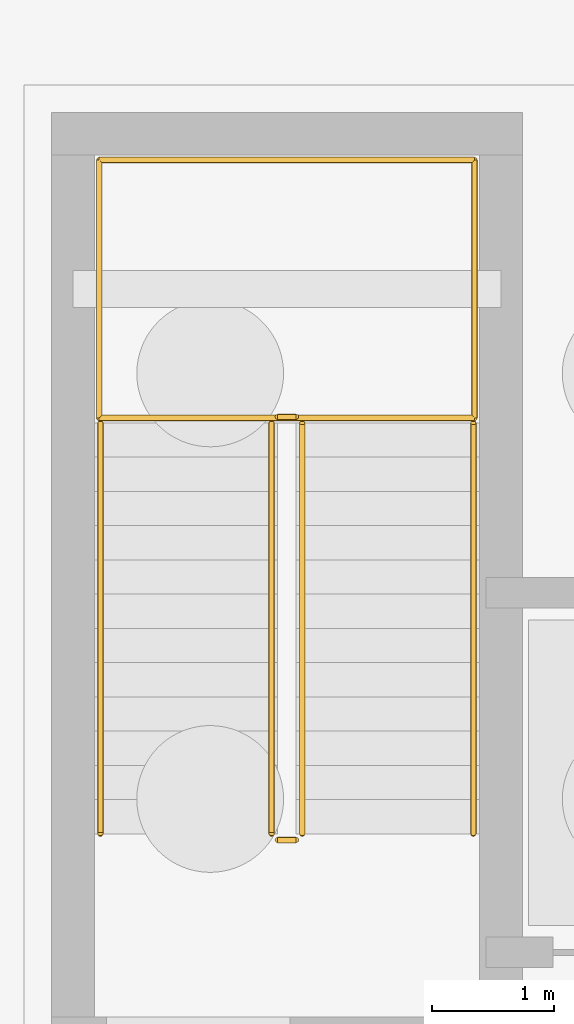
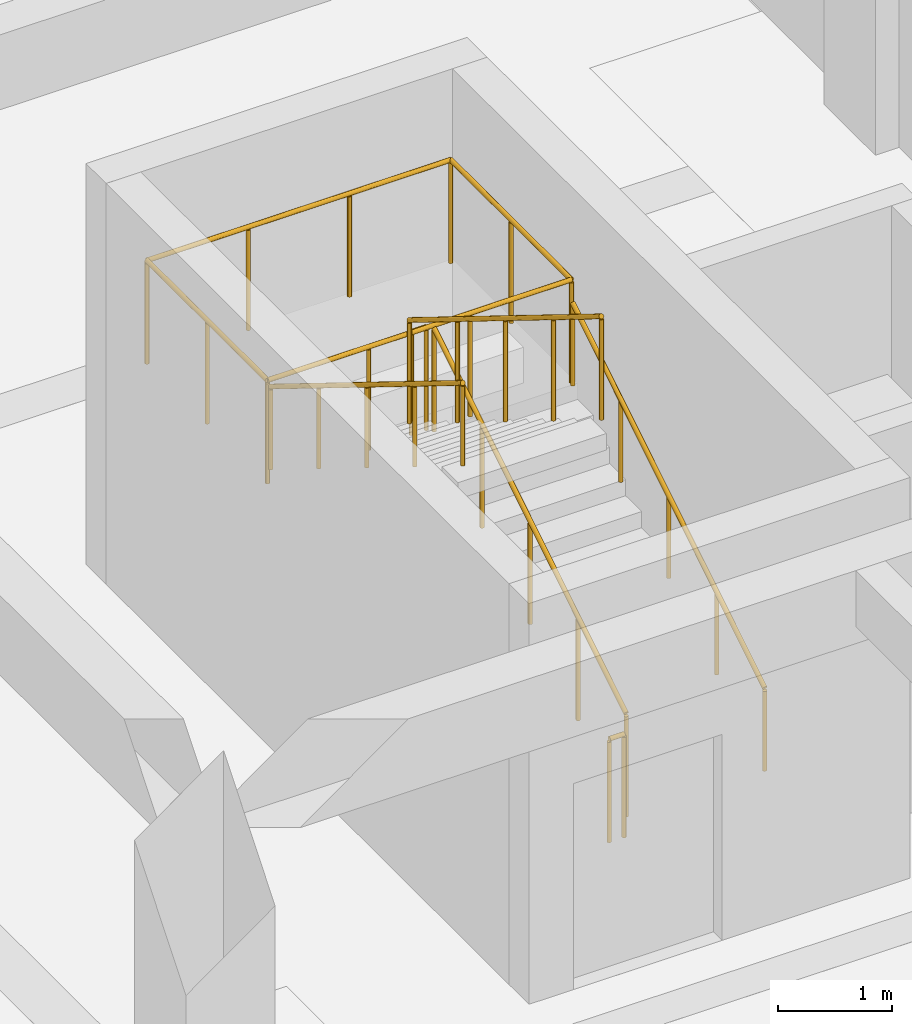
# One storey, part 25 of 28: 8 railings.
"""IFC4 building model written with IfcOpenShell, lengths in metres."""

from ifc_helpers import new_model, si_unit, direction, frame, origin, origin_2d, place, context, subcontext, project, spatial, circle, extrude, material, type_object, element, save


model = new_model("IFC4")

# Units and contexts
model_context = context("Model", 3, precision=1e-05, world=origin(), true_north=direction((0.0, 1.0)))
body_context = subcontext(model_context, "Body", "Model", "MODEL_VIEW")
ifc_project = project(units=[si_unit("LENGTHUNIT", "METRE"), si_unit("AREAUNIT", "SQUARE_METRE"), si_unit("VOLUMEUNIT", "CUBIC_METRE"), si_unit("PLANEANGLEUNIT", "RADIAN"), si_unit("MASSUNIT", "GRAM", prefix="KILO")], contexts=[model_context])

# Site, building, storey
site_placement = place(None, origin())
site = spatial("IfcSite", under=ifc_project, at=site_placement, CompositionType="ELEMENT")
building_placement = place(site_placement, origin())
building = spatial("IfcBuilding", under=site, at=building_placement, Name="Miralva Faculty of Natural Sciences", CompositionType="ELEMENT")
storey_placement = place(building_placement, frame((0.0, 0.0, -4.5)))
storey = spatial("IfcBuildingStorey", under=building, at=storey_placement, Name="B1", CompositionType="ELEMENT", Elevation=-4.5)

# Railings
ifc_material = material(Name="Steel S355", Category="steel")
railing_type_1 = type_object("IfcRailingType", Name="RL-GR01", PredefinedType="GUARDRAIL", material=ifc_material)
railing_1_placement = place(storey_placement, frame((15.300048828125, 67.89990234375, 0.173095703125)))
element("IfcRailing", 1, at=railing_1_placement, inside=storey, type_object=railing_type_1, Name="Stair Core C2 safety guard B1-1", PredefinedType="GUARDRAIL", context=body_context, shape_type="SweptSolid", body=[
    extrude(circle(Radius=0.02392578125, at=origin_2d()), frame((0.0, 0.0, 1.09619140625), z_axis=(0.0, 0.850623216509, 0.525775754039), x_axis=(-1.0, 0.0, 0.0)), (0.0, 0.0, 1.0), 3.9501953125),
    extrude(circle(Radius=0.02099609375, at=origin_2d()), origin(), (0.0, 0.0, 1.0), 1.072021484375),
    extrude(circle(Radius=0.02099609375, at=origin_2d()), frame((0.0, 0.840087890625, 0.519287109375)), (0.0, 0.0, 1.0), 1.072021484375),
    extrude(circle(Radius=0.02099609375, at=origin_2d()), frame((0.0, 1.68017578125, 1.03857421875)), (0.0, 0.0, 1.0), 1.072021484375),
    extrude(circle(Radius=0.02099609375, at=origin_2d()), frame((0.0, 2.52001953125, 1.5576171875)), (0.0, 0.0, 1.0), 1.072021484375),
    extrude(circle(Radius=0.02099609375, at=origin_2d()), frame((0.0, 3.360107421875, 2.076904296875)), (0.0, 0.0, 1.0), 1.072021484375),
])
railing_2_placement = place(storey_placement, frame((15.25, 71.31005859375, 2.25)))
element("IfcRailing", 2, at=railing_2_placement, inside=storey, type_object=railing_type_1, Name="Stair Core C2 safety guard B1-2", PredefinedType="GUARDRAIL", context=body_context, shape_type="SweptSolid", body=[
    extrude(circle(Radius=0.02392578125, at=origin_2d()), frame((0.0, 0.0, 1.09619140625), z_axis=(-1.0, 0.0, 0.0), x_axis=(0.0, -1.0, 0.0)), (0.0, 0.0, 1.0), 0.14990234375),
    extrude(circle(Radius=0.02099609375, at=origin_2d()), origin(), (0.0, 0.0, 1.0), 1.072021484375),
    extrude(circle(Radius=0.02099609375, at=origin_2d()), frame((-0.14990234375, 0.0, 0.0)), (0.0, 0.0, 1.0), 1.072021484375),
])
railing_3_placement = place(storey_placement, frame((15.050048828125, 71.260009765625, 2.423095703125)))
element("IfcRailing", 3, at=railing_3_placement, inside=storey, type_object=railing_type_1, Name="Stair Core C2 safety guard B1-3", PredefinedType="GUARDRAIL", context=body_context, shape_type="SweptSolid", body=[
    extrude(circle(Radius=0.02392578125, at=origin_2d()), frame((0.0, 0.0, 1.09619140625), z_axis=(0.0, -0.850623216509, 0.525775754039), x_axis=(1.0, 0.0, 0.0)), (0.0, 0.0, 1.0), 3.9501953125),
    extrude(circle(Radius=0.02099609375, at=origin_2d()), origin(), (0.0, 0.0, 1.0), 1.072021484375),
    extrude(circle(Radius=0.02099609375, at=origin_2d()), frame((0.0, -0.840087890625, 0.519287109375)), (0.0, 0.0, 1.0), 1.072021484375),
    extrude(circle(Radius=0.02099609375, at=origin_2d()), frame((0.0, -1.68017578125, 1.03857421875)), (0.0, 0.0, 1.0), 1.072021484375),
    extrude(circle(Radius=0.02099609375, at=origin_2d()), frame((0.0, -2.52001953125, 1.5576171875)), (0.0, 0.0, 1.0), 1.072021484375),
    extrude(circle(Radius=0.02099609375, at=origin_2d()), frame((0.0, -3.360107421875, 2.076904296875)), (0.0, 0.0, 1.0), 1.072021484375),
])
railing_4_placement = place(storey_placement, frame((15.25, 67.85009765625, 0.0)))
element("IfcRailing", 4, at=railing_4_placement, inside=storey, type_object=railing_type_1, Name="Stair Core C2 safety guard B1-4", PredefinedType="GUARDRAIL", context=body_context, shape_type="SweptSolid", body=[
    extrude(circle(Radius=0.02392578125, at=origin_2d()), frame((0.0, 0.0, 1.09619140625), z_axis=(-1.0, 0.0, 0.0), x_axis=(0.0, -1.0, 0.0)), (0.0, 0.0, 1.0), 0.14990234375),
    extrude(circle(Radius=0.02099609375, at=origin_2d()), origin(), (0.0, 0.0, 1.0), 1.072021484375),
    extrude(circle(Radius=0.02099609375, at=origin_2d()), frame((-0.14990234375, 0.0, 0.0)), (0.0, 0.0, 1.0), 1.072021484375),
])
railing_5_placement = place(storey_placement, frame((13.639892578125, 71.300048828125, 2.25)))
element("IfcRailing", 5, at=railing_5_placement, inside=storey, type_object=railing_type_1, Name="Stair Core C2 half-landing guard B1-1A", PredefinedType="GUARDRAIL", context=body_context, shape_type="SweptSolid", body=[
    extrude(circle(Radius=0.02392578125, at=origin_2d()), frame((0.0, 0.0, 1.09619140625), z_axis=(0.0, 1.0, 0.0), x_axis=(-1.0, 0.0, 0.0)), (0.0, 0.0, 1.0), 2.10986328125),
    extrude(circle(Radius=0.02392578125, at=origin_2d()), frame((0.0, 2.10986328125, 1.09619140625), z_axis=(1.0, 0.0, 0.0), x_axis=(0.0, 1.0, 0.0)), (0.0, 0.0, 1.0), 3.070068359375),
    extrude(circle(Radius=0.02099609375, at=origin_2d()), origin(), (0.0, 0.0, 1.0), 1.072021484375),
    extrude(circle(Radius=0.02099609375, at=origin_2d()), frame((0.0, 1.054931640625, 0.0)), (0.0, 0.0, 1.0), 1.072021484375),
    extrude(circle(Radius=0.02099609375, at=origin_2d()), frame((0.0, 2.10986328125, 0.0)), (0.0, 0.0, 1.0), 1.072021484375),
    extrude(circle(Radius=0.02099609375, at=origin_2d()), frame((1.0234375, 2.10986328125, 0.0)), (0.0, 0.0, 1.0), 1.072021484375),
    extrude(circle(Radius=0.02099609375, at=origin_2d()), frame((2.046630859375, 2.10986328125, 0.0)), (0.0, 0.0, 1.0), 1.072021484375),
    extrude(circle(Radius=0.02099609375, at=origin_2d()), frame((3.070068359375, 2.10986328125, 0.0)), (0.0, 0.0, 1.0), 1.072021484375),
])
railing_6_placement = place(storey_placement, frame((16.7099609375, 73.409912109375, 2.25)))
element("IfcRailing", 6, at=railing_6_placement, inside=storey, type_object=railing_type_1, Name="Stair Core C2 half-landing guard B1-1B", PredefinedType="GUARDRAIL", context=body_context, shape_type="SweptSolid", body=[
    extrude(circle(Radius=0.02392578125, at=origin_2d()), frame((0.0, 0.0, 1.09619140625), z_axis=(0.0, -1.0, 0.0), x_axis=(1.0, 0.0, 0.0)), (0.0, 0.0, 1.0), 2.10986328125),
    extrude(circle(Radius=0.02392578125, at=origin_2d()), frame((0.0, -2.10986328125, 1.09619140625), z_axis=(-1.0, 0.0, 0.0), x_axis=(0.0, -1.0, 0.0)), (0.0, 0.0, 1.0), 3.070068359375),
    extrude(circle(Radius=0.02099609375, at=origin_2d()), origin(), (0.0, 0.0, 1.0), 1.072021484375),
    extrude(circle(Radius=0.02099609375, at=origin_2d()), frame((0.0, -1.054931640625, 0.0)), (0.0, 0.0, 1.0), 1.072021484375),
    extrude(circle(Radius=0.02099609375, at=origin_2d()), frame((0.0, -2.10986328125, 0.0)), (0.0, 0.0, 1.0), 1.072021484375),
    extrude(circle(Radius=0.02099609375, at=origin_2d()), frame((-1.0234375, -2.10986328125, 0.0)), (0.0, 0.0, 1.0), 1.072021484375),
    extrude(circle(Radius=0.02099609375, at=origin_2d()), frame((-2.046630859375, -2.10986328125, 0.0)), (0.0, 0.0, 1.0), 1.072021484375),
    extrude(circle(Radius=0.02099609375, at=origin_2d()), frame((-3.070068359375, -2.10986328125, 0.0)), (0.0, 0.0, 1.0), 1.072021484375),
])
railing_type_2 = type_object("IfcRailingType", Name="RL-HR01", PredefinedType="HANDRAIL", material=ifc_material)
railing_7_placement = place(storey_placement, frame((16.699951171875, 67.89990234375, 0.173095703125)))
element("IfcRailing", 7, at=railing_7_placement, inside=storey, type_object=railing_type_2, Name="Stair Core C2 handrail B1-1", PredefinedType="HANDRAIL", context=body_context, shape_type="SweptSolid", body=[
    extrude(circle(Radius=0.02392578125, at=origin_2d()), frame((0.0, 0.0, 0.8759765625), z_axis=(0.0, 0.850623216509, 0.525775754039), x_axis=(-1.0, 0.0, 0.0)), (0.0, 0.0, 1.0), 3.9501953125),
    extrude(circle(Radius=0.02099609375, at=origin_2d()), origin(), (0.0, 0.0, 1.0), 0.851806640625),
    extrude(circle(Radius=0.02099609375, at=origin_2d()), frame((0.0, 0.840087890625, 0.519287109375)), (0.0, 0.0, 1.0), 0.851806640625),
    extrude(circle(Radius=0.02099609375, at=origin_2d()), frame((0.0, 1.68017578125, 1.03857421875)), (0.0, 0.0, 1.0), 0.851806640625),
    extrude(circle(Radius=0.02099609375, at=origin_2d()), frame((0.0, 2.52001953125, 1.5576171875)), (0.0, 0.0, 1.0), 0.851806640625),
    extrude(circle(Radius=0.02099609375, at=origin_2d()), frame((0.0, 3.360107421875, 2.076904296875)), (0.0, 0.0, 1.0), 0.851806640625),
])
railing_8_placement = place(storey_placement, frame((13.64990234375, 71.260009765625, 2.423095703125)))
element("IfcRailing", 8, at=railing_8_placement, inside=storey, type_object=railing_type_2, Name="Stair Core C2 handrail B1-2", PredefinedType="HANDRAIL", context=body_context, shape_type="SweptSolid", body=[
    extrude(circle(Radius=0.02392578125, at=origin_2d()), frame((0.0, 0.0, 0.8759765625), z_axis=(0.0, -0.850623216509, 0.525775754039), x_axis=(1.0, 0.0, 0.0)), (0.0, 0.0, 1.0), 3.9501953125),
    extrude(circle(Radius=0.02099609375, at=origin_2d()), origin(), (0.0, 0.0, 1.0), 0.851806640625),
    extrude(circle(Radius=0.02099609375, at=origin_2d()), frame((0.0, -0.840087890625, 0.519287109375)), (0.0, 0.0, 1.0), 0.851806640625),
    extrude(circle(Radius=0.02099609375, at=origin_2d()), frame((0.0, -1.68017578125, 1.03857421875)), (0.0, 0.0, 1.0), 0.851806640625),
    extrude(circle(Radius=0.02099609375, at=origin_2d()), frame((0.0, -2.52001953125, 1.5576171875)), (0.0, 0.0, 1.0), 0.851806640625),
    extrude(circle(Radius=0.02099609375, at=origin_2d()), frame((0.0, -3.360107421875, 2.076904296875)), (0.0, 0.0, 1.0), 0.851806640625),
])

save(model, "model.ifc")
